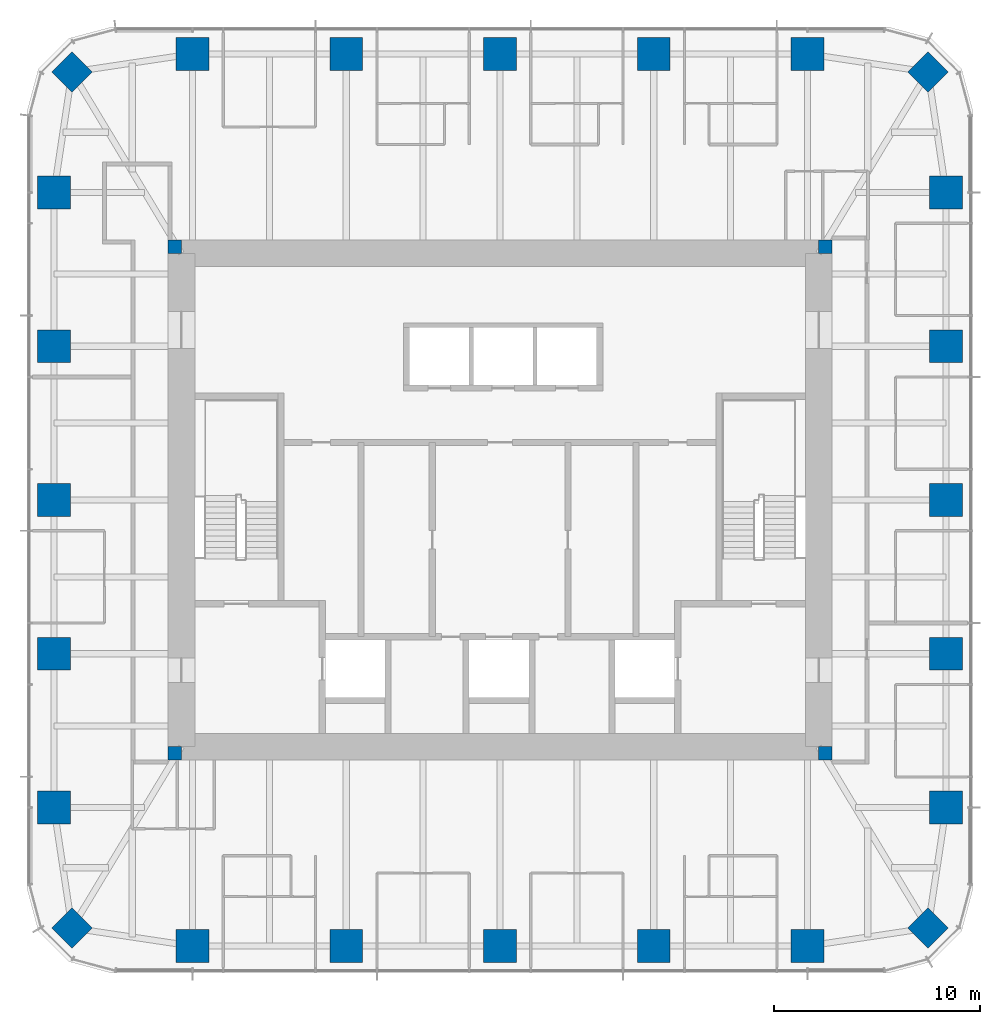
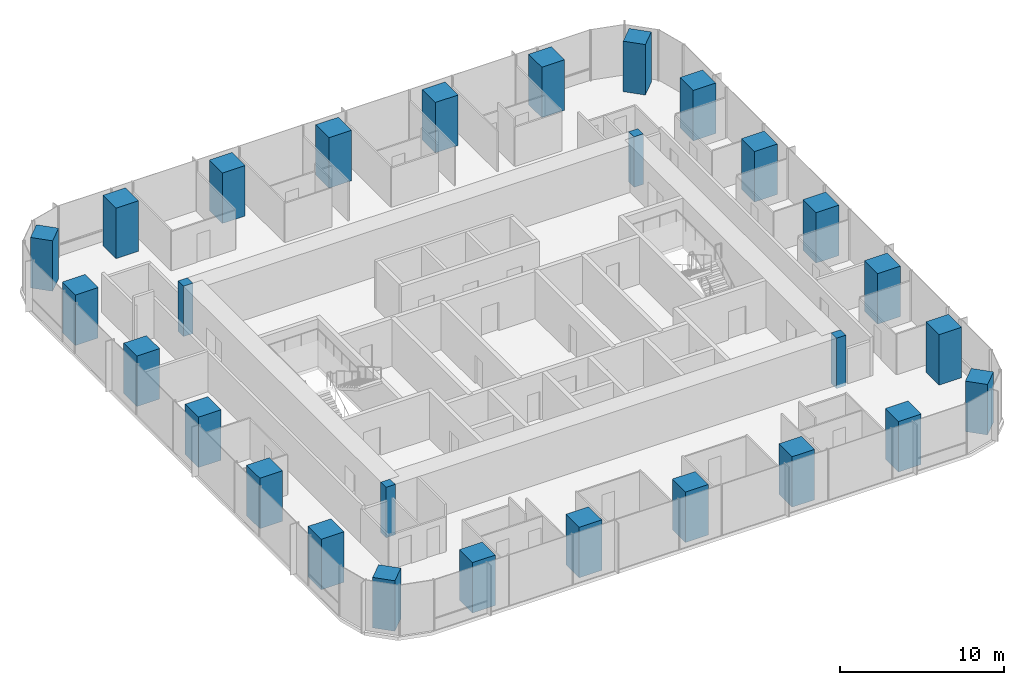
# One storey, part 1 of 12: 28 columns.
"""IFC4 building model written with IfcOpenShell, lengths in metres."""

from ifc_helpers import new_model, si_unit, direction, frame, origin, origin_2d, place, context, subcontext, project, spatial, rectangle, extrude, material, material_profile, profile_set, type_object, element, save


model = new_model("IFC4")

# Units and contexts
model_context = context("Model", 3, precision=1e-05, world=origin(), true_north=direction((0.0, 1.0)))
body_context = subcontext(model_context, "Body", "Model", "MODEL_VIEW")
ifc_project = project(units=[si_unit("LENGTHUNIT", "METRE"), si_unit("AREAUNIT", "SQUARE_METRE"), si_unit("VOLUMEUNIT", "CUBIC_METRE"), si_unit("PLANEANGLEUNIT", "RADIAN"), si_unit("MASSUNIT", "GRAM", prefix="KILO")], contexts=[model_context])

# Site, building, storey
site_placement = place(None, origin())
site = spatial("IfcSite", under=ifc_project, at=site_placement, CompositionType="ELEMENT")
building_placement = place(site_placement, origin())
building = spatial("IfcBuilding", under=site, at=building_placement, Name="Khuree Lantern Residences", CompositionType="ELEMENT")
storey_placement = place(building_placement, frame((0.0, 0.0, 342.0)))
storey = spatial("IfcBuildingStorey", under=building, at=storey_placement, Name="L86", CompositionType="ELEMENT", Elevation=342.0)

# Columns
ifc_material_1 = material(Name="Concrete C70/85", Category="concrete")
ifc_material_profile_1 = material_profile(ifc_material_1, rectangle(XDim=1.39990234375, YDim=1.39990234375, at=origin_2d()), Name="RC 1400X1400")
ifc_profile_set_1 = profile_set([ifc_material_profile_1], Name="Concrete C70/85")
column_type_1 = type_object("IfcColumnType", Name="CC1400 PERIMETER CORNER COLUMN RC 1400X1400", PredefinedType="COLUMN", material=ifc_profile_set_1)
for number, where, z_axis, x_axis, name in (
    (1, (20.8212890625, 20.8212890625, 0.0), (0.0, 0.0, 1.0), (0.707106781187, -0.707106781187, 0.0), "Perimeter column NE"),
    (2, (20.8212890625, -20.8212890625, 0.0), (0.0, 0.0, 1.0), (0.707106781187, 0.707106781187, 0.0), "Perimeter column SE"),
    (3, (-20.8212890625, -20.8212890625, 0.0), (0.0, 0.0, 1.0), (0.707106781187, -0.707106781187, 0.0), "Perimeter column SW"),
    (4, (-20.8212890625, 20.8212890625, 0.0), (0.0, 0.0, 1.0), (0.707106781187, 0.707106781187, 0.0), "Perimeter column NW"),
):
    element("IfcColumn", number, at=place(storey_placement, frame(where, z_axis=z_axis, x_axis=x_axis)), inside=storey, type_object=column_type_1, Name=name, PredefinedType="COLUMN", context=body_context, shape_type="SweptSolid", body=[
        extrude(rectangle(XDim=1.39990234375, YDim=1.39990234375, at=origin_2d()), origin(), (0.0, 0.0, 1.0), 3.75),
    ])
ifc_material_2 = material(Name="Concrete C50/60", Category="concrete")
ifc_material_profile_2 = material_profile(ifc_material_2, rectangle(XDim=0.64990234375, YDim=0.64990234375, at=origin_2d()), Name="RC 650X650")
ifc_profile_set_2 = profile_set([ifc_material_profile_2], Name="Concrete C50/60")
column_type_2 = type_object("IfcColumnType", Name="CP650-C50 CORE CORNER PIER C50 RC 650X650", PredefinedType="COLUMN", material=ifc_profile_set_2)
for number, where, z_axis, x_axis, name in (
    (5, (15.824951171875, 12.324951171875, -0.25), (0.0, 0.0, 1.0), (1.0, 0.0, 0.0), "Core corner pier NE"),
    (6, (-15.824951171875, 12.324951171875, -0.25), (0.0, 0.0, 1.0), (1.0, 0.0, 0.0), "Core corner pier NW"),
    (7, (-15.824951171875, -12.324951171875, -0.25), (0.0, 0.0, 1.0), (1.0, 0.0, 0.0), "Core corner pier SW"),
    (8, (15.824951171875, -12.324951171875, -0.25), (0.0, 0.0, 1.0), (1.0, 0.0, 0.0), "Core corner pier SE"),
):
    element("IfcColumn", number, at=place(storey_placement, frame(where, z_axis=z_axis, x_axis=x_axis)), inside=storey, type_object=column_type_2, Name=name, PredefinedType="COLUMN", context=body_context, shape_type="SweptSolid", body=[
        extrude(rectangle(XDim=0.64990234375, YDim=0.64990234375, at=origin_2d()), origin(), (0.0, 0.0, 1.0), 3.75),
    ])
ifc_material_profile_3 = material_profile(ifc_material_1, rectangle(XDim=1.60009765625, YDim=1.60009765625, at=origin_2d()), Name="RC 1600X1600")
ifc_profile_set_3 = profile_set([ifc_material_profile_3], Name="Concrete C70/85")
column_type_3 = type_object("IfcColumnType", Name="PC5 PERIMETER COLUMN RC 1600X1600", PredefinedType="COLUMN", material=ifc_profile_set_3)
for number, where, z_axis, x_axis, name in (
    (9, (-14.9599609375, 21.699951171875, 0.0), (0.0, 0.0, 1.0), (1.0, 0.0, 0.0), "Perimeter column N1"),
    (10, (-7.47998046875, 21.699951171875, 0.0), (0.0, 0.0, 1.0), (1.0, 0.0, 0.0), "Perimeter column N2"),
    (11, (0.0, 21.699951171875, 0.0), (0.0, 0.0, 1.0), (1.0, 0.0, 0.0), "Perimeter column N3"),
    (12, (7.47998046875, 21.699951171875, 0.0), (0.0, 0.0, 1.0), (1.0, 0.0, 0.0), "Perimeter column N4"),
    (13, (14.9599609375, 21.699951171875, 0.0), (0.0, 0.0, 1.0), (1.0, 0.0, 0.0), "Perimeter column N5"),
    (14, (21.699951171875, 14.9599609375, 0.0), (0.0, 0.0, 1.0), (0.0, 1.0, 0.0), "Perimeter column E1"),
    (15, (21.699951171875, 7.47998046875, 0.0), (0.0, 0.0, 1.0), (0.0, 1.0, 0.0), "Perimeter column E2"),
    (16, (21.699951171875, 0.0, 0.0), (0.0, 0.0, 1.0), (0.0, 1.0, 0.0), "Perimeter column E3"),
    (17, (21.699951171875, -7.47998046875, 0.0), (0.0, 0.0, 1.0), (0.0, 1.0, 0.0), "Perimeter column E4"),
    (18, (21.699951171875, -14.9599609375, 0.0), (0.0, 0.0, 1.0), (0.0, 1.0, 0.0), "Perimeter column E5"),
    (19, (14.9599609375, -21.699951171875, 0.0), (0.0, 0.0, 1.0), (1.0, 0.0, 0.0), "Perimeter column S1"),
    (20, (7.47998046875, -21.699951171875, 0.0), (0.0, 0.0, 1.0), (1.0, 0.0, 0.0), "Perimeter column S2"),
    (21, (0.0, -21.699951171875, 0.0), (0.0, 0.0, 1.0), (1.0, 0.0, 0.0), "Perimeter column S3"),
    (22, (-7.47998046875, -21.699951171875, 0.0), (0.0, 0.0, 1.0), (1.0, 0.0, 0.0), "Perimeter column S4"),
    (23, (-14.9599609375, -21.699951171875, 0.0), (0.0, 0.0, 1.0), (1.0, 0.0, 0.0), "Perimeter column S5"),
    (24, (-21.699951171875, -14.9599609375, 0.0), (0.0, 0.0, 1.0), (0.0, 1.0, 0.0), "Perimeter column W1"),
    (25, (-21.699951171875, -7.47998046875, 0.0), (0.0, 0.0, 1.0), (0.0, 1.0, 0.0), "Perimeter column W2"),
    (26, (-21.699951171875, 0.0, 0.0), (0.0, 0.0, 1.0), (0.0, 1.0, 0.0), "Perimeter column W3"),
    (27, (-21.699951171875, 7.47998046875, 0.0), (0.0, 0.0, 1.0), (0.0, 1.0, 0.0), "Perimeter column W4"),
    (28, (-21.699951171875, 14.9599609375, 0.0), (0.0, 0.0, 1.0), (0.0, 1.0, 0.0), "Perimeter column W5"),
):
    element("IfcColumn", number, at=place(storey_placement, frame(where, z_axis=z_axis, x_axis=x_axis)), inside=storey, type_object=column_type_3, Name=name, PredefinedType="COLUMN", context=body_context, shape_type="SweptSolid", body=[
        extrude(rectangle(XDim=1.60009765625, YDim=1.60009765625, at=origin_2d()), origin(), (0.0, 0.0, 1.0), 3.75),
    ])

save(model, "model.ifc")
